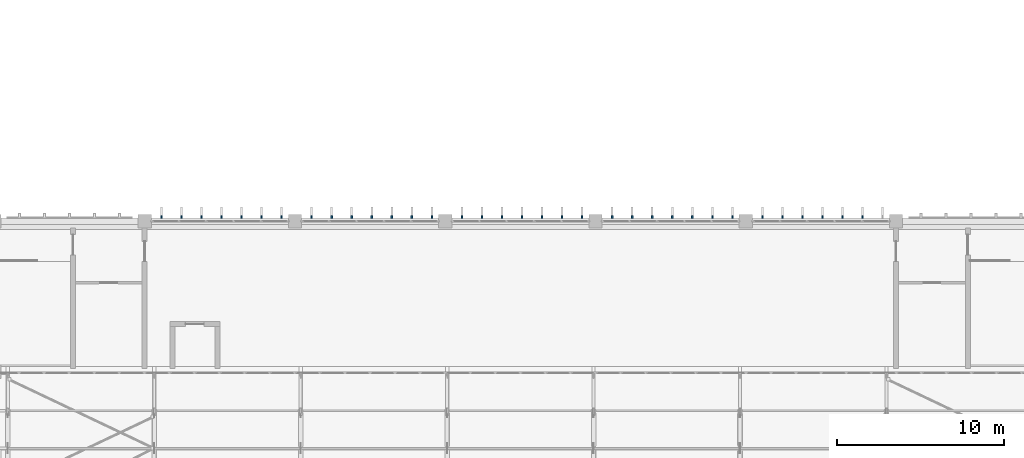
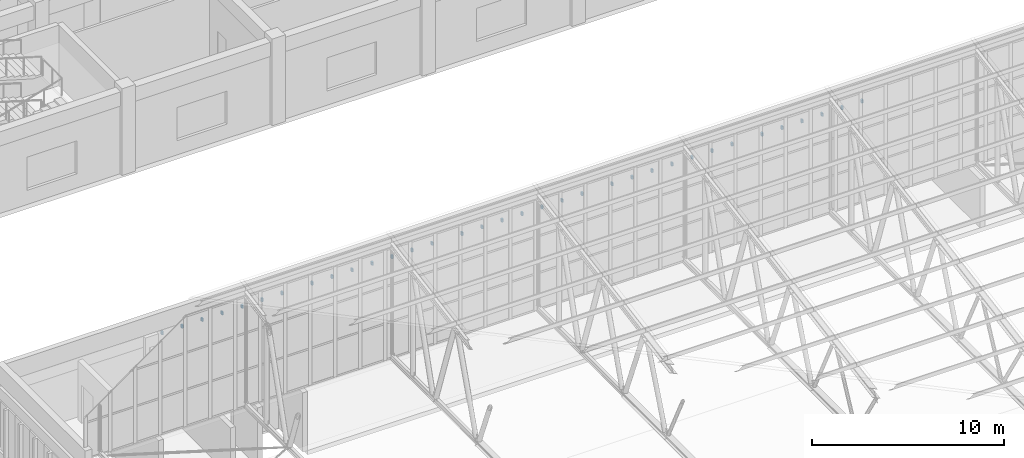
# One storey, part 157 of 185: 34 discrete accessories.
"""IFC4 building model written with IfcOpenShell, lengths in metres."""

import ifcopenshell
import ifcopenshell.guid

model = None  # the IFC model being written
_history = None  # IfcOwnerHistory: only IFC2X3 demands one
_inside = {}  # id of a spatial element -> (the spatial element, [elements in it])
_under = {}  # id of a project, library or spatial element -> (it, [spatial elements below it])
_declared = {}  # id of a project -> (the project, [libraries it declares])
_typed = {}  # id of a type object -> (the type object, [elements of that type])
_made_of = {}  # id of a material, layer set ... -> (it, [elements and type objects made of it])


def new_model(schema):
    """Start an empty IFC model of exactly this schema.

    Asked for "IFC4X3", IfcOpenShell would pick the latest addendum, in which some entities
    have other attributes; the version numbers below select the first issue.
    IFC2X3 requires an IfcOwnerHistory on every rooted entity: one is made here for all.
    """
    global model, _history
    if schema == "IFC4X3":
        model = ifcopenshell.file(schema_version=(4, 3, 0, 0))
    else:
        model = ifcopenshell.file(schema=schema)
    _inside.clear()
    _under.clear()
    _declared.clear()
    _typed.clear()
    _made_of.clear()
    _history = None
    if model.schema == "IFC2X3":
        org = make("IfcOrganization", Name="unknown")
        user = make(
            "IfcPersonAndOrganization",
            ThePerson=make("IfcPerson", FamilyName="unknown"),
            TheOrganization=org,
        )
        app = make(
            "IfcApplication",
            ApplicationDeveloper=org,
            Version="unknown",
            ApplicationFullName="unknown",
            ApplicationIdentifier="unknown",
        )
        _history = make(
            "IfcOwnerHistory",
            OwningUser=user,
            OwningApplication=app,
            ChangeAction="ADDED",
            CreationDate=0,
        )
    return model


def make(cls, **values):
    """One entity of the class cls with the attributes given. An attribute that is None is left unset."""
    return model.create_entity(
        cls, **{name: value for name, value in values.items() if value is not None}
    )


def rooted(cls, **values):
    """An entity with a GlobalId (a new one), such as an element, a storey or a relation."""
    return make(cls, GlobalId=ifcopenshell.guid.new(), OwnerHistory=_history, **values)


def si_unit(unit_type, name, prefix=None):
    """IfcSIUnit, for example si_unit("LENGTHUNIT", "METRE", prefix="MILLI")."""
    return make("IfcSIUnit", UnitType=unit_type, Prefix=prefix, Name=name)


def assignment(units):
    """IfcUnitAssignment: the units of a project."""
    return None if units is None else make("IfcUnitAssignment", Units=units)


def point(xyz):
    """IfcCartesianPoint."""
    return None if xyz is None else make("IfcCartesianPoint", Coordinates=xyz)


def direction(xyz):
    """IfcDirection."""
    return None if xyz is None else make("IfcDirection", DirectionRatios=xyz)


def frame(location, z_axis=None, x_axis=None):
    """IfcAxis2Placement3D, a coordinate frame: its origin and axes. An axis left out is left unset."""
    return make(
        "IfcAxis2Placement3D",
        Location=point(location),
        Axis=direction(z_axis),
        RefDirection=direction(x_axis),
    )


def frame_2d(location, x_axis=None):
    """IfcAxis2Placement2D, a coordinate frame in the plane: its origin and x axis."""
    return make(
        "IfcAxis2Placement2D", Location=point(location), RefDirection=direction(x_axis)
    )


def origin():
    """The frame at (0, 0, 0) with its axes left unset."""
    return frame((0.0, 0.0, 0.0))


def origin_2d():
    """The frame at (0, 0) in the plane with its x axis left unset."""
    return frame_2d((0.0, 0.0))


def place(relative_to, where):
    """IfcLocalPlacement: puts the frame where relative to a parent placement (None: the world)."""
    return make(
        "IfcLocalPlacement", PlacementRelTo=relative_to, RelativePlacement=where
    )


def context(
    kind, dimensions, precision=None, world=None, true_north=None, identifier=None
):
    """IfcGeometricRepresentationContext, for example the 3D "Model" context."""
    return make(
        "IfcGeometricRepresentationContext",
        ContextIdentifier=identifier,
        ContextType=kind,
        CoordinateSpaceDimension=dimensions,
        Precision=precision,
        WorldCoordinateSystem=world,
        TrueNorth=true_north,
    )


def subcontext(parent, identifier, kind, view, scale=None):
    """IfcGeometricRepresentationSubContext, for example "Body" below "Model"."""
    return make(
        "IfcGeometricRepresentationSubContext",
        ContextIdentifier=identifier,
        ContextType=kind,
        ParentContext=parent,
        TargetScale=scale,
        TargetView=view,
    )


def project(units=None, contexts=None):
    """IfcProject with its units and contexts."""
    return rooted(
        "IfcProject",
        Name="project",
        RepresentationContexts=contexts,
        UnitsInContext=assignment(units),
    )


def spatial(cls, under=None, at=None, **own):
    """A site, building, storey or space (cls), placed at a placement, below another one or the project."""
    s = rooted(cls, ObjectPlacement=at, **own)
    if under is not None:
        _under.setdefault(under.id(), (under, []))[1].append(s)
    return s


def profile(cls, at=None, kind="AREA", **sizes):
    """A parametric profile (cls). Its sizes go by their IFC names, for example OverallWidth=200.0."""
    return make(cls, ProfileType=kind, Position=at, **sizes)


def rectangle(**sizes):
    """IfcRectangleProfileDef."""
    return profile("IfcRectangleProfileDef", **sizes)


def extrude(swept, where, along, depth):
    """IfcExtrudedAreaSolid: the profile swept, set in the frame where, extruded along a direction by depth."""
    return make(
        "IfcExtrudedAreaSolid",
        SweptArea=swept,
        Position=where,
        ExtrudedDirection=direction(along),
        Depth=depth,
    )


def shape(context_of_items, identifier, shape_type, items):
    """IfcShapeRepresentation: the items that make up one representation, for example the "Body"."""
    return make(
        "IfcShapeRepresentation",
        ContextOfItems=context_of_items,
        RepresentationIdentifier=identifier,
        RepresentationType=shape_type,
        Items=items,
    )


def material(Name=None, Category=None):
    """IfcMaterial."""
    return make("IfcMaterial", Name=Name, Category=Category)


def made_of(thing, what):
    """Note that an element or type object is made of a material, layer set ...; save() writes the relation."""
    if what is not None:
        _made_of.setdefault(what.id(), (what, []))[1].append(thing)
    return thing


def type_object(cls, material=None, **own):
    """A type object (cls), such as IfcWallType, which elements share."""
    return made_of(rooted(cls, **own), material)


def element(
    cls,
    number,
    at=None,
    inside=None,
    cuts=None,
    type_object=None,
    material=None,
    context=None,
    identifier="Body",
    shape_type=None,
    held_by="IfcProductDefinitionShape",
    body=None,
    shapes=None,
    **own,
):
    """One element of the class cls, such as IfcWall. Its Tag is "e" and its number.

    at: its placement. inside: the storey or other place that contains it. cuts: it is an
    opening in that element (IfcRelVoidsElement). A single representation is given by context,
    identifier, shape_type and body (its items); several are given by shapes. held_by: the class
    of the entity that holds the representations. save() writes the other relations.
    """
    e = rooted(cls, Tag="e%d" % number, ObjectPlacement=at, **own)
    if body is not None:
        shapes = [shape(context, identifier, shape_type, body)]
    if shapes is not None:
        e.Representation = make(held_by, Representations=shapes)
    if inside is not None:
        _inside.setdefault(inside.id(), (inside, []))[1].append(e)
    if cuts is not None:
        rooted(
            "IfcRelVoidsElement", RelatingBuildingElement=cuts, RelatedOpeningElement=e
        )
    if type_object is not None:
        _typed.setdefault(type_object.id(), (type_object, []))[1].append(e)
    return made_of(e, material)


def aggregate(whole, parts):
    """IfcRelAggregates: a whole, such as a stair, and the parts it consists of."""
    return rooted("IfcRelAggregates", RelatingObject=whole, RelatedObjects=parts)


def save(model, path):
    """Write the relations noted so far, then the file.

    IfcRelAggregates (storeys below a building ...), IfcRelContainedInSpatialStructure (elements
    in a storey), IfcRelDefinesByType, IfcRelAssociatesMaterial and IfcRelDeclares: one each for
    every whole, place, type object, material and project.
    """
    for whole, parts in _under.values():
        aggregate(whole, parts)
    for where, things in _inside.values():
        rooted(
            "IfcRelContainedInSpatialStructure",
            RelatedElements=things,
            RelatingStructure=where,
        )
    for kind, things in _typed.values():
        rooted("IfcRelDefinesByType", RelatedObjects=things, RelatingType=kind)
    for what, things in _made_of.values():
        rooted("IfcRelAssociatesMaterial", RelatedObjects=things, RelatingMaterial=what)
    for by, libraries in _declared.values():
        rooted("IfcRelDeclares", RelatingContext=by, RelatedDefinitions=libraries)
    model.write(path)


model = new_model("IFC4")

# Units and contexts
model_context = context("Model", 3, precision=1e-05, world=origin(), true_north=direction((0.0, 1.0)))
body_context = subcontext(model_context, "Body", "Model", "MODEL_VIEW")
ifc_project = project(units=[si_unit("LENGTHUNIT", "METRE"), si_unit("AREAUNIT", "SQUARE_METRE"), si_unit("VOLUMEUNIT", "CUBIC_METRE"), si_unit("PLANEANGLEUNIT", "RADIAN"), si_unit("MASSUNIT", "GRAM", prefix="KILO")], contexts=[model_context])

# Site, building, storey
site_placement = place(None, origin())
site = spatial("IfcSite", under=ifc_project, at=site_placement, CompositionType="ELEMENT")
building_placement = place(site_placement, origin())
building = spatial("IfcBuilding", under=site, at=building_placement, Name="Opaline Strait Convention Centre", CompositionType="ELEMENT")
storey_placement = place(building_placement, frame((0.0, 0.0, 6.0)))
storey = spatial("IfcBuildingStorey", under=building, at=storey_placement, Name="L01", CompositionType="ELEMENT", Elevation=6.0)

# Discrete accessories
ifc_material = material(Name="Stainless steel 304", Category="steel")
discrete_accessory_type = type_object("IfcDiscreteAccessoryType", Name="Storm fin bracket 100", PredefinedType="BRACKET", material=ifc_material)
for number, where, z_axis, x_axis, name in (
    (1, (298.0, 72.27490234375, 3.10009765625), (0.0, 0.0, 1.0), (1.0, 0.0, 0.0), "Storm fin bracket north 36"),
    (2, (299.199951171875, 72.27490234375, 3.10009765625), (0.0, 0.0, 1.0), (1.0, 0.0, 0.0), "Storm fin bracket north 37"),
    (3, (300.39990234375, 72.27490234375, 3.10009765625), (0.0, 0.0, 1.0), (1.0, 0.0, 0.0), "Storm fin bracket north 38"),
    (4, (301.60009765625, 72.27490234375, 3.10009765625), (0.0, 0.0, 1.0), (1.0, 0.0, 0.0), "Storm fin bracket north 39"),
    (5, (302.800048828125, 72.27490234375, 3.10009765625), (0.0, 0.0, 1.0), (1.0, 0.0, 0.0), "Storm fin bracket north 40"),
    (6, (304.0, 72.27490234375, 3.10009765625), (0.0, 0.0, 1.0), (1.0, 0.0, 0.0), "Storm fin bracket north 41"),
    (7, (305.199951171875, 72.27490234375, 3.10009765625), (0.0, 0.0, 1.0), (1.0, 0.0, 0.0), "Storm fin bracket north 42"),
    (8, (307.0, 72.27490234375, 3.10009765625), (0.0, 0.0, 1.0), (1.0, 0.0, 0.0), "Storm fin bracket north 43"),
    (9, (308.199951171875, 72.27490234375, 3.10009765625), (0.0, 0.0, 1.0), (1.0, 0.0, 0.0), "Storm fin bracket north 44"),
    (10, (309.39990234375, 72.27490234375, 3.10009765625), (0.0, 0.0, 1.0), (1.0, 0.0, 0.0), "Storm fin bracket north 45"),
    (11, (310.60009765625, 72.27490234375, 3.10009765625), (0.0, 0.0, 1.0), (1.0, 0.0, 0.0), "Storm fin bracket north 46"),
    (12, (311.800048828125, 72.27490234375, 3.10009765625), (0.0, 0.0, 1.0), (1.0, 0.0, 0.0), "Storm fin bracket north 47"),
    (13, (313.0, 72.27490234375, 3.10009765625), (0.0, 0.0, 1.0), (1.0, 0.0, 0.0), "Storm fin bracket north 48"),
    (14, (314.199951171875, 72.27490234375, 3.10009765625), (0.0, 0.0, 1.0), (1.0, 0.0, 0.0), "Storm fin bracket north 49"),
    (15, (316.0, 72.27490234375, 3.10009765625), (0.0, 0.0, 1.0), (1.0, 0.0, 0.0), "Storm fin bracket north 50"),
    (16, (317.199951171875, 72.27490234375, 3.10009765625), (0.0, 0.0, 1.0), (1.0, 0.0, 0.0), "Storm fin bracket north 51"),
    (17, (318.39990234375, 72.27490234375, 3.10009765625), (0.0, 0.0, 1.0), (1.0, 0.0, 0.0), "Storm fin bracket north 52"),
    (18, (319.60009765625, 72.27490234375, 3.10009765625), (0.0, 0.0, 1.0), (1.0, 0.0, 0.0), "Storm fin bracket north 53"),
    (19, (320.800048828125, 72.27490234375, 3.10009765625), (0.0, 0.0, 1.0), (1.0, 0.0, 0.0), "Storm fin bracket north 54"),
    (20, (322.0, 72.27490234375, 3.10009765625), (0.0, 0.0, 1.0), (1.0, 0.0, 0.0), "Storm fin bracket north 55"),
    (21, (323.199951171875, 72.27490234375, 3.10009765625), (0.0, 0.0, 1.0), (1.0, 0.0, 0.0), "Storm fin bracket north 56"),
    (22, (325.0, 72.27490234375, 3.10009765625), (0.0, 0.0, 1.0), (1.0, 0.0, 0.0), "Storm fin bracket north 57"),
    (23, (326.199951171875, 72.27490234375, 3.10009765625), (0.0, 0.0, 1.0), (1.0, 0.0, 0.0), "Storm fin bracket north 58"),
    (24, (327.39990234375, 72.27490234375, 3.10009765625), (0.0, 0.0, 1.0), (1.0, 0.0, 0.0), "Storm fin bracket north 59"),
    (25, (328.60009765625, 72.27490234375, 3.10009765625), (0.0, 0.0, 1.0), (1.0, 0.0, 0.0), "Storm fin bracket north 60"),
    (26, (329.800048828125, 72.27490234375, 3.10009765625), (0.0, 0.0, 1.0), (1.0, 0.0, 0.0), "Storm fin bracket north 61"),
    (27, (331.0, 72.27490234375, 3.10009765625), (0.0, 0.0, 1.0), (1.0, 0.0, 0.0), "Storm fin bracket north 62"),
    (28, (332.199951171875, 72.27490234375, 3.10009765625), (0.0, 0.0, 1.0), (1.0, 0.0, 0.0), "Storm fin bracket north 63"),
    (29, (334.0, 72.27490234375, 3.10009765625), (0.0, 0.0, 1.0), (1.0, 0.0, 0.0), "Storm fin bracket north 64"),
    (30, (335.199951171875, 72.27490234375, 3.10009765625), (0.0, 0.0, 1.0), (1.0, 0.0, 0.0), "Storm fin bracket north 65"),
    (31, (336.39990234375, 72.27490234375, 3.10009765625), (0.0, 0.0, 1.0), (1.0, 0.0, 0.0), "Storm fin bracket north 66"),
    (32, (337.60009765625, 72.27490234375, 3.10009765625), (0.0, 0.0, 1.0), (1.0, 0.0, 0.0), "Storm fin bracket north 67"),
    (33, (338.800048828125, 72.27490234375, 3.10009765625), (0.0, 0.0, 1.0), (1.0, 0.0, 0.0), "Storm fin bracket north 68"),
    (34, (340.0, 72.27490234375, 3.10009765625), (0.0, 0.0, 1.0), (1.0, 0.0, 0.0), "Storm fin bracket north 69"),
):
    element("IfcDiscreteAccessory", number, at=place(storey_placement, frame(where, z_axis=z_axis, x_axis=x_axis)), inside=storey, type_object=discrete_accessory_type, Name=name, PredefinedType="BRACKET", context=body_context, shape_type="SweptSolid", body=[
        extrude(rectangle(XDim=0.10009765625, YDim=0.14990234375, at=origin_2d()), origin(), (0.0, 0.0, 1.0), 0.199951171875),
    ])

save(model, "model.ifc")
